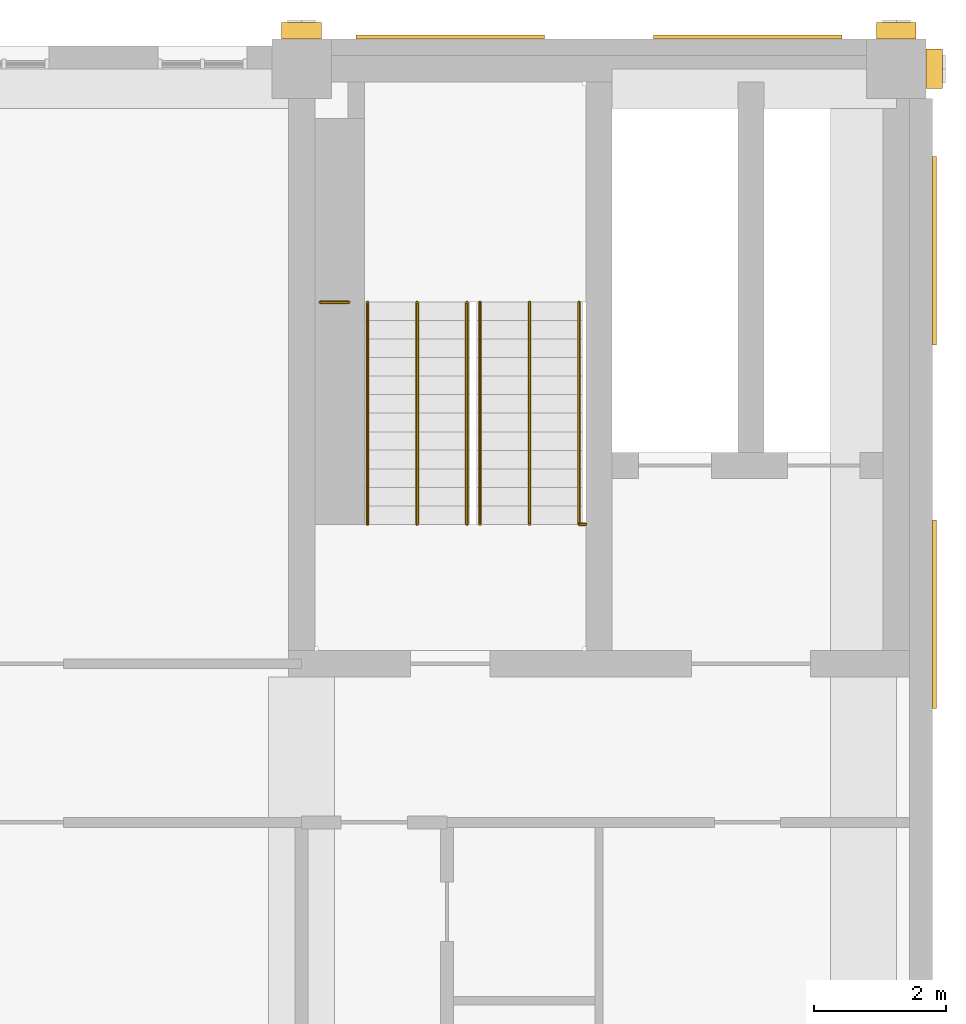
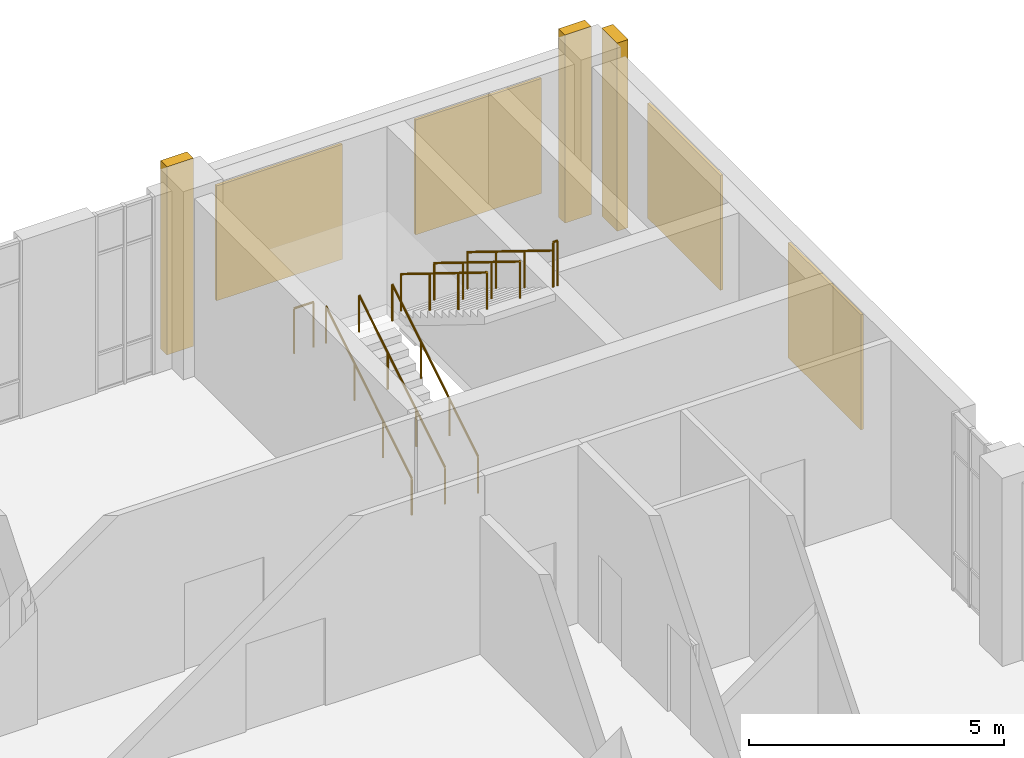
# One storey, part 12 of 13: 8 railings, 7 coverings.
"""IFC4 building model written with IfcOpenShell, lengths in metres."""

from ifc_helpers import new_model, si_unit, direction, frame, origin, origin_2d, place, context, subcontext, project, spatial, rectangle, circle, extrude, material, layer, layer_set, type_object, element, save


model = new_model("IFC4")

# Units and contexts
model_context = context("Model", 3, precision=1e-05, world=origin(), true_north=direction((0.0, 1.0)))
body_context = subcontext(model_context, "Body", "Model", "MODEL_VIEW")
ifc_project = project(units=[si_unit("LENGTHUNIT", "METRE"), si_unit("AREAUNIT", "SQUARE_METRE"), si_unit("VOLUMEUNIT", "CUBIC_METRE"), si_unit("PLANEANGLEUNIT", "RADIAN"), si_unit("MASSUNIT", "GRAM", prefix="KILO")], contexts=[model_context])

# Site, building, storey
site_placement = place(None, origin())
site = spatial("IfcSite", under=ifc_project, at=site_placement, CompositionType="ELEMENT")
building_placement = place(site_placement, origin())
building = spatial("IfcBuilding", under=site, at=building_placement, Name="Aurelan Courthouse", CompositionType="ELEMENT")
storey_placement = place(building_placement, frame((0.0, 0.0, 48.89990234375)))
storey = spatial("IfcBuildingStorey", under=building, at=storey_placement, Name="L09", CompositionType="ELEMENT", Elevation=48.89990234375)

# Coverings
ifc_material_1 = material(Name="Bronze sheet cladding")
ifc_layer = layer(ifc_material_1, 0.06005859375)
ifc_layer_set = layer_set([ifc_layer], Name="Bronze sheet cladding")
covering_type_1 = type_object("IfcCoveringType", Name="Courts' Floors blind bay 2850 x 2750", PredefinedType="CLADDING", material=ifc_layer_set)
for number, where, z_axis, x_axis, name in (
    (1, (20.25, 28.97998046875, 0.900146484375), (0.0, 0.0, 1.0), (1.0, 0.0, 0.0), "Blind bay BB-V5-L09-003"),
    (2, (24.75, 28.97998046875, 0.900146484375), (0.0, 0.0, 1.0), (1.0, 0.0, 0.0), "Blind bay BB-V5-L09-004"),
):
    element("IfcCovering", number, at=place(storey_placement, frame(where, z_axis=z_axis, x_axis=x_axis)), inside=storey, type_object=covering_type_1, Name=name, PredefinedType="CLADDING", context=body_context, shape_type="SweptSolid", body=[
        extrude(rectangle(XDim=2.85009765625, YDim=0.06005859375, at=origin_2d()), origin(), (0.0, 0.0, 1.0), 2.75),
    ])
for number, where, z_axis, x_axis, name in (
    (3, (27.580078125, 20.25, 0.900146484375), (0.0, 0.0, 1.0), (1.0, 0.0, 0.0), "Blind bay BB-V5-L09-005"),
    (4, (27.580078125, 25.75, 0.900146484375), (0.0, 0.0, 1.0), (1.0, 0.0, 0.0), "Blind bay BB-V5-L09-006"),
):
    element("IfcCovering", number, at=place(storey_placement, frame(where, z_axis=z_axis, x_axis=x_axis)), inside=storey, type_object=covering_type_1, Name=name, PredefinedType="CLADDING", context=body_context, shape_type="SweptSolid", body=[
        extrude(rectangle(XDim=0.06005859375, YDim=2.85009765625, at=origin_2d()), origin(), (0.0, 0.0, 1.0), 2.75),
    ])
ifc_material_2 = material(Name="Limestone cladding", Category="masonry")
covering_type_2 = type_object("IfcCoveringType", Name="Courts' Floors pilaster fin 600 x 250", PredefinedType="CLADDING", material=ifc_material_2)
for number, where, z_axis, x_axis, name in (
    (5, (18.0, 29.074951171875, 0.0), (0.0, 0.0, 1.0), (1.0, 0.0, 0.0), "Pilaster fin FN-V5-105"),
    (6, (27.0, 29.074951171875, 0.0), (0.0, 0.0, 1.0), (1.0, 0.0, 0.0), "Pilaster fin FN-V5-106"),
):
    element("IfcCovering", number, at=place(storey_placement, frame(where, z_axis=z_axis, x_axis=x_axis)), inside=storey, type_object=covering_type_2, Name=name, PredefinedType="CLADDING", context=body_context, shape_type="SweptSolid", body=[
        extrude(rectangle(XDim=0.60009765625, YDim=0.25, at=origin_2d()), origin(), (0.0, 0.0, 1.0), 4.5),
    ])
covering_placement = place(storey_placement, frame((27.574951171875, 28.5, 0.0), z_axis=(0.0, 0.0, 1.0), x_axis=(1.0, 0.0, 0.0)))
element("IfcCovering", 7, at=covering_placement, inside=storey, type_object=covering_type_2, Name="Pilaster fin FN-V5-109", PredefinedType="CLADDING", context=body_context, shape_type="SweptSolid", body=[
    extrude(rectangle(XDim=0.25, YDim=0.60009765625, at=origin_2d()), origin(), (0.0, 0.0, 1.0), 4.5),
])

# Railings
ifc_material_3 = material(Name="Steel S355", Category="steel")
railing_type_1 = type_object("IfcRailingType", Name="Stair guard 1100", PredefinedType="GUARDRAIL", material=ifc_material_3)
railing_1_placement = place(storey_placement, frame((22.199951171875, 21.610107421875, 4.5)))
element("IfcRailing", 8, at=railing_1_placement, inside=storey, type_object=railing_type_1, Name="Guard ST-5A-L09-H5-C", PredefinedType="GUARDRAIL", context=body_context, shape_type="SweptSolid", body=[
    extrude(circle(Radius=0.02392578125, at=origin_2d()), frame((0.0, 0.0, 1.076171875), z_axis=(1.0, 0.0, 0.0), x_axis=(0.0, 1.0, 0.0)), (0.0, 0.0, 1.0), 0.10009765625),
    extrude(circle(Radius=0.02099609375, at=origin_2d()), origin(), (0.0, 0.0, 1.0), 1.052001953125),
    extrude(circle(Radius=0.02099609375, at=origin_2d()), frame((0.10009765625, 0.0, 0.0)), (0.0, 0.0, 1.0), 1.052001953125),
])
railing_2_placement = place(storey_placement, frame((18.719970703125, 24.969970703125, 2.25)))
element("IfcRailing", 9, at=railing_2_placement, inside=storey, type_object=railing_type_1, Name="Guard ST-5A-L09-GL1", PredefinedType="GUARDRAIL", context=body_context, shape_type="SweptSolid", body=[
    extrude(circle(Radius=0.02392578125, at=origin_2d()), frame((0.0, 0.0, 1.076171875), z_axis=(-1.0, 0.0, 0.0), x_axis=(0.0, -1.0, 0.0)), (0.0, 0.0, 1.0), 0.43994140625),
    extrude(circle(Radius=0.02099609375, at=origin_2d()), origin(), (0.0, 0.0, 1.0), 1.052001953125),
    extrude(circle(Radius=0.02099609375, at=origin_2d()), frame((-0.43994140625, 0.0, 0.0)), (0.0, 0.0, 1.0), 1.052001953125),
])
railing_type_2 = type_object("IfcRailingType", Name="Stair handrail 900", PredefinedType="HANDRAIL", material=ifc_material_3)
for number, where, name in (
    (10, (19.0, 21.610107421875, 0.173095703125), "Handrail ST-5A-L09-H1"),
    (11, (20.5, 21.610107421875, 0.173095703125), "Handrail ST-5A-L09-H2"),
    (12, (19.75, 21.610107421875, 0.173095703125), "Handrail ST-5A-L09-H3"),
):
    element("IfcRailing", number, at=place(storey_placement, frame(where)), inside=storey, type_object=railing_type_2, Name=name, PredefinedType="HANDRAIL", context=body_context, shape_type="SweptSolid", body=[
        extrude(circle(Radius=0.02392578125, at=origin_2d()), frame((0.0, 0.0, 0.8759765625), z_axis=(0.0, 0.850606129759, 0.525803396734), x_axis=(-1.0, 0.0, 0.0)), (0.0, 0.0, 1.0), 3.949951171875),
        extrude(circle(Radius=0.02099609375, at=origin_2d()), origin(), (0.0, 0.0, 1.0), 0.851806640625),
        extrude(circle(Radius=0.02099609375, at=origin_2d()), frame((0.0, 1.119873046875, 0.6923828125)), (0.0, 0.0, 1.0), 0.851806640625),
        extrude(circle(Radius=0.02099609375, at=origin_2d()), frame((0.0, 2.239990234375, 1.384521484375)), (0.0, 0.0, 1.0), 0.851806640625),
        extrude(circle(Radius=0.02099609375, at=origin_2d()), frame((0.0, 3.35986328125, 2.076904296875)), (0.0, 0.0, 1.0), 0.851806640625),
    ])
for number, where, name in (
    (13, (20.699951171875, 24.969970703125, 2.423095703125), "Handrail ST-5A-L09-H4"),
    (14, (22.199951171875, 24.969970703125, 2.423095703125), "Handrail ST-5A-L09-H5"),
    (15, (21.449951171875, 24.969970703125, 2.423095703125), "Handrail ST-5A-L09-H6"),
):
    element("IfcRailing", number, at=place(storey_placement, frame(where)), inside=storey, type_object=railing_type_2, Name=name, PredefinedType="HANDRAIL", context=body_context, shape_type="SweptSolid", body=[
        extrude(circle(Radius=0.02392578125, at=origin_2d()), frame((0.0, 0.0, 0.8759765625), z_axis=(0.0, -0.850606129759, 0.525803396734), x_axis=(1.0, 0.0, 0.0)), (0.0, 0.0, 1.0), 3.949951171875),
        extrude(circle(Radius=0.02099609375, at=origin_2d()), origin(), (0.0, 0.0, 1.0), 0.851806640625),
        extrude(circle(Radius=0.02099609375, at=origin_2d()), frame((0.0, -1.119873046875, 0.6923828125)), (0.0, 0.0, 1.0), 0.851806640625),
        extrude(circle(Radius=0.02099609375, at=origin_2d()), frame((0.0, -2.239990234375, 1.384521484375)), (0.0, 0.0, 1.0), 0.851806640625),
        extrude(circle(Radius=0.02099609375, at=origin_2d()), frame((0.0, -3.35986328125, 2.076904296875)), (0.0, 0.0, 1.0), 0.851806640625),
    ])

save(model, "model.ifc")
